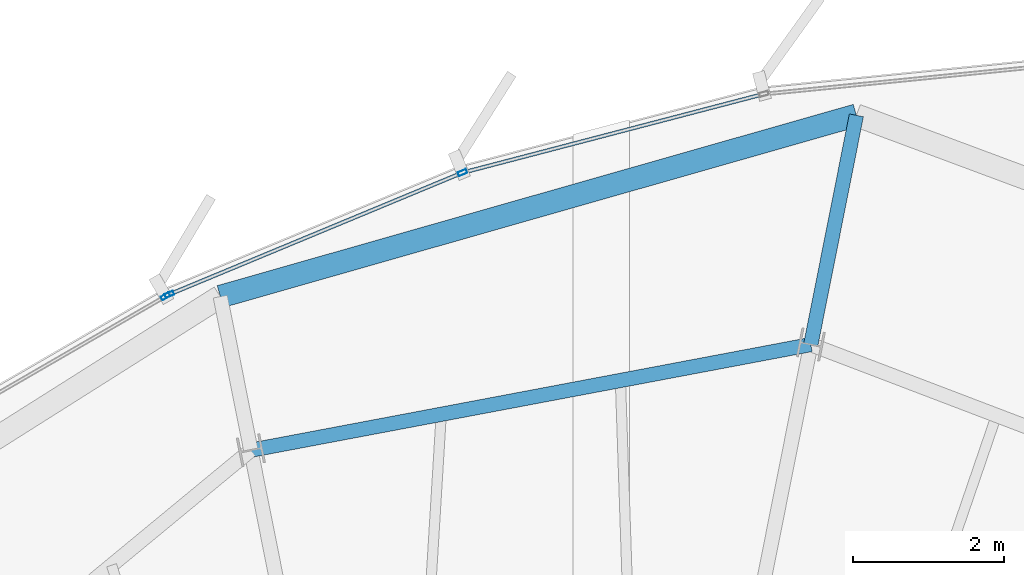
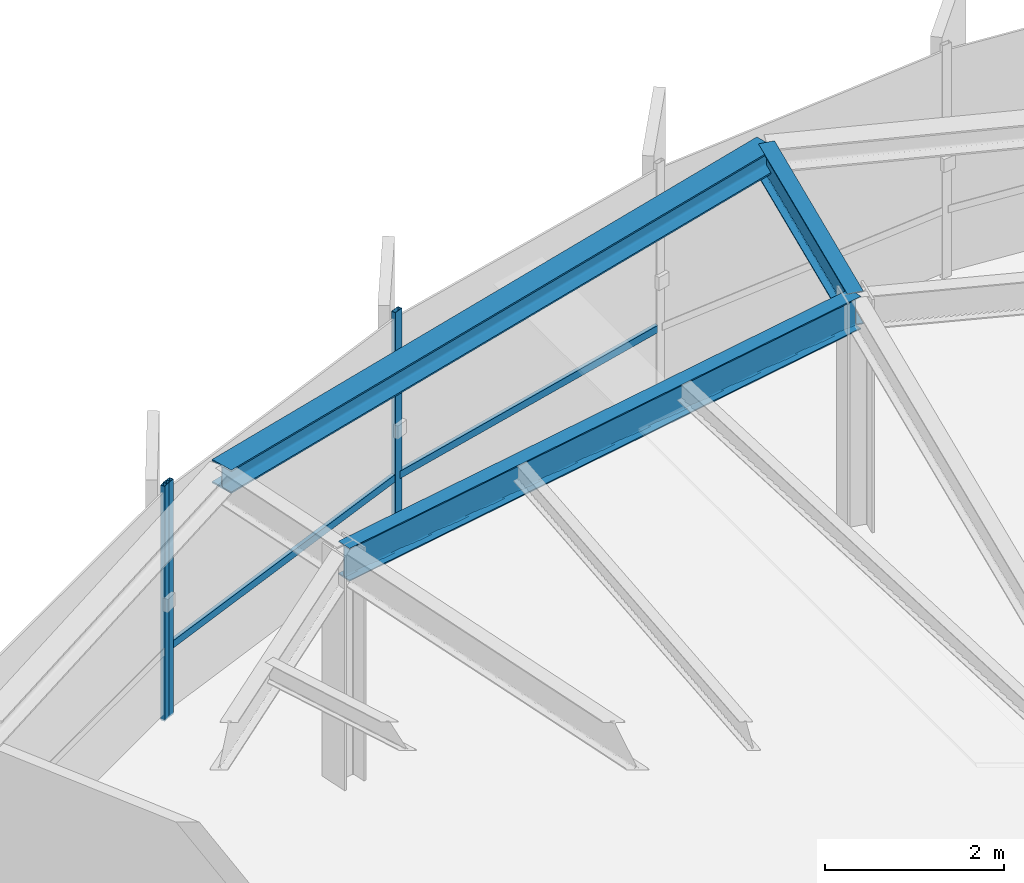
# One storey, part 21 of 33: 5 members, 3 beams, 2 elements without a shape of their own.
"""IFC4 building model written with IfcOpenShell, lengths in metres."""

import ifcopenshell
import ifcopenshell.guid

model = None  # the IFC model being written
_history = None  # IfcOwnerHistory: only IFC2X3 demands one
_inside = {}  # id of a spatial element -> (the spatial element, [elements in it])
_under = {}  # id of a project, library or spatial element -> (it, [spatial elements below it])
_declared = {}  # id of a project -> (the project, [libraries it declares])
_typed = {}  # id of a type object -> (the type object, [elements of that type])
_made_of = {}  # id of a material, layer set ... -> (it, [elements and type objects made of it])


def new_model(schema):
    """Start an empty IFC model of exactly this schema.

    Asked for "IFC4X3", IfcOpenShell would pick the latest addendum, in which some entities
    have other attributes; the version numbers below select the first issue.
    IFC2X3 requires an IfcOwnerHistory on every rooted entity: one is made here for all.
    """
    global model, _history
    if schema == "IFC4X3":
        model = ifcopenshell.file(schema_version=(4, 3, 0, 0))
    else:
        model = ifcopenshell.file(schema=schema)
    _inside.clear()
    _under.clear()
    _declared.clear()
    _typed.clear()
    _made_of.clear()
    _history = None
    if model.schema == "IFC2X3":
        org = make("IfcOrganization", Name="unknown")
        user = make(
            "IfcPersonAndOrganization",
            ThePerson=make("IfcPerson", FamilyName="unknown"),
            TheOrganization=org,
        )
        app = make(
            "IfcApplication",
            ApplicationDeveloper=org,
            Version="unknown",
            ApplicationFullName="unknown",
            ApplicationIdentifier="unknown",
        )
        _history = make(
            "IfcOwnerHistory",
            OwningUser=user,
            OwningApplication=app,
            ChangeAction="ADDED",
            CreationDate=0,
        )
    return model


def make(cls, **values):
    """One entity of the class cls with the attributes given. An attribute that is None is left unset."""
    return model.create_entity(
        cls, **{name: value for name, value in values.items() if value is not None}
    )


def rooted(cls, **values):
    """An entity with a GlobalId (a new one), such as an element, a storey or a relation."""
    return make(cls, GlobalId=ifcopenshell.guid.new(), OwnerHistory=_history, **values)


def si_unit(unit_type, name, prefix=None):
    """IfcSIUnit, for example si_unit("LENGTHUNIT", "METRE", prefix="MILLI")."""
    return make("IfcSIUnit", UnitType=unit_type, Prefix=prefix, Name=name)


def assignment(units):
    """IfcUnitAssignment: the units of a project."""
    return None if units is None else make("IfcUnitAssignment", Units=units)


def point(xyz):
    """IfcCartesianPoint."""
    return None if xyz is None else make("IfcCartesianPoint", Coordinates=xyz)


def direction(xyz):
    """IfcDirection."""
    return None if xyz is None else make("IfcDirection", DirectionRatios=xyz)


def frame(location, z_axis=None, x_axis=None):
    """IfcAxis2Placement3D, a coordinate frame: its origin and axes. An axis left out is left unset."""
    return make(
        "IfcAxis2Placement3D",
        Location=point(location),
        Axis=direction(z_axis),
        RefDirection=direction(x_axis),
    )


def frame_2d(location, x_axis=None):
    """IfcAxis2Placement2D, a coordinate frame in the plane: its origin and x axis."""
    return make(
        "IfcAxis2Placement2D", Location=point(location), RefDirection=direction(x_axis)
    )


def origin():
    """The frame at (0, 0, 0) with its axes left unset."""
    return frame((0.0, 0.0, 0.0))


def origin_2d():
    """The frame at (0, 0) in the plane with its x axis left unset."""
    return frame_2d((0.0, 0.0))


def place(relative_to, where):
    """IfcLocalPlacement: puts the frame where relative to a parent placement (None: the world)."""
    return make(
        "IfcLocalPlacement", PlacementRelTo=relative_to, RelativePlacement=where
    )


def context(
    kind, dimensions, precision=None, world=None, true_north=None, identifier=None
):
    """IfcGeometricRepresentationContext, for example the 3D "Model" context."""
    return make(
        "IfcGeometricRepresentationContext",
        ContextIdentifier=identifier,
        ContextType=kind,
        CoordinateSpaceDimension=dimensions,
        Precision=precision,
        WorldCoordinateSystem=world,
        TrueNorth=true_north,
    )


def subcontext(parent, identifier, kind, view, scale=None):
    """IfcGeometricRepresentationSubContext, for example "Body" below "Model"."""
    return make(
        "IfcGeometricRepresentationSubContext",
        ContextIdentifier=identifier,
        ContextType=kind,
        ParentContext=parent,
        TargetScale=scale,
        TargetView=view,
    )


def project(units=None, contexts=None):
    """IfcProject with its units and contexts."""
    return rooted(
        "IfcProject",
        Name="project",
        RepresentationContexts=contexts,
        UnitsInContext=assignment(units),
    )


def spatial(cls, under=None, at=None, **own):
    """A site, building, storey or space (cls), placed at a placement, below another one or the project."""
    s = rooted(cls, ObjectPlacement=at, **own)
    if under is not None:
        _under.setdefault(under.id(), (under, []))[1].append(s)
    return s


def profile(cls, at=None, kind="AREA", **sizes):
    """A parametric profile (cls). Its sizes go by their IFC names, for example OverallWidth=200.0."""
    return make(cls, ProfileType=kind, Position=at, **sizes)


def hollow_rectangle(**sizes):
    """IfcRectangleHollowProfileDef."""
    return profile("IfcRectangleHollowProfileDef", **sizes)


def i_section(**sizes):
    """IfcIShapeProfileDef."""
    return profile("IfcIShapeProfileDef", **sizes)


def extrude(swept, where, along, depth):
    """IfcExtrudedAreaSolid: the profile swept, set in the frame where, extruded along a direction by depth."""
    return make(
        "IfcExtrudedAreaSolid",
        SweptArea=swept,
        Position=where,
        ExtrudedDirection=direction(along),
        Depth=depth,
    )


def shape(context_of_items, identifier, shape_type, items):
    """IfcShapeRepresentation: the items that make up one representation, for example the "Body"."""
    return make(
        "IfcShapeRepresentation",
        ContextOfItems=context_of_items,
        RepresentationIdentifier=identifier,
        RepresentationType=shape_type,
        Items=items,
    )


def source(mapping_origin, context_of_items, identifier, shape_type, items):
    """IfcRepresentationMap: a shape defined once, which mapped items show again and again."""
    return make(
        "IfcRepresentationMap",
        MappingOrigin=mapping_origin,
        MappedRepresentation=shape(context_of_items, identifier, shape_type, items),
    )


def transform(
    local_origin,
    x_axis=None,
    y_axis=None,
    z_axis=None,
    scale=None,
    scale2=None,
    scale3=None,
    uniform=True,
):
    """IfcCartesianTransformationOperator3D, or its non-uniform kind. x_axis, y_axis, z_axis: its Axis1, 2, 3."""
    if uniform:
        return make(
            "IfcCartesianTransformationOperator3D",
            Axis1=direction(x_axis),
            Axis2=direction(y_axis),
            LocalOrigin=point(local_origin),
            Scale=scale,
            Axis3=direction(z_axis),
        )
    return make(
        "IfcCartesianTransformationOperator3DnonUniform",
        Axis1=direction(x_axis),
        Axis2=direction(y_axis),
        LocalOrigin=point(local_origin),
        Scale=scale,
        Axis3=direction(z_axis),
        Scale2=scale2,
        Scale3=scale3,
    )


def mapped(mapping_source, mapping_target):
    """IfcMappedItem: shows the shape of a source again, moved by a transform."""
    return make(
        "IfcMappedItem", MappingSource=mapping_source, MappingTarget=mapping_target
    )


def material(Name=None, Category=None):
    """IfcMaterial."""
    return make("IfcMaterial", Name=Name, Category=Category)


def layer(
    of_material, thickness, ventilated=None, Name=None, Category=None, Priority=None
):
    """IfcMaterialLayer: one layer of a wall or slab, of a material (None: an air gap)."""
    return make(
        "IfcMaterialLayer",
        Material=of_material,
        LayerThickness=thickness,
        IsVentilated=ventilated,
        Name=Name,
        Category=Category,
        Priority=Priority,
    )


def layer_set(layers, Name=None):
    """IfcMaterialLayerSet."""
    return make("IfcMaterialLayerSet", MaterialLayers=layers, LayerSetName=Name)


def material_profile(
    of_material, cross_section, Name=None, Category=None, Priority=None
):
    """IfcMaterialProfile: a cross section and its material."""
    return make(
        "IfcMaterialProfile",
        Name=Name,
        Material=of_material,
        Profile=cross_section,
        Priority=Priority,
        Category=Category,
    )


def profile_set(profiles, Name=None, composite=None):
    """IfcMaterialProfileSet."""
    return make(
        "IfcMaterialProfileSet",
        Name=Name,
        MaterialProfiles=profiles,
        CompositeProfile=composite,
    )


def made_of(thing, what):
    """Note that an element or type object is made of a material, layer set ...; save() writes the relation."""
    if what is not None:
        _made_of.setdefault(what.id(), (what, []))[1].append(thing)
    return thing


def type_object(cls, material=None, **own):
    """A type object (cls), such as IfcWallType, which elements share."""
    return made_of(rooted(cls, **own), material)


def element(
    cls,
    number,
    at=None,
    inside=None,
    cuts=None,
    type_object=None,
    material=None,
    context=None,
    identifier="Body",
    shape_type=None,
    held_by="IfcProductDefinitionShape",
    body=None,
    shapes=None,
    **own,
):
    """One element of the class cls, such as IfcWall. Its Tag is "e" and its number.

    at: its placement. inside: the storey or other place that contains it. cuts: it is an
    opening in that element (IfcRelVoidsElement). A single representation is given by context,
    identifier, shape_type and body (its items); several are given by shapes. held_by: the class
    of the entity that holds the representations. save() writes the other relations.
    """
    e = rooted(cls, Tag="e%d" % number, ObjectPlacement=at, **own)
    if body is not None:
        shapes = [shape(context, identifier, shape_type, body)]
    if shapes is not None:
        e.Representation = make(held_by, Representations=shapes)
    if inside is not None:
        _inside.setdefault(inside.id(), (inside, []))[1].append(e)
    if cuts is not None:
        rooted(
            "IfcRelVoidsElement", RelatingBuildingElement=cuts, RelatedOpeningElement=e
        )
    if type_object is not None:
        _typed.setdefault(type_object.id(), (type_object, []))[1].append(e)
    return made_of(e, material)


def aggregate(whole, parts):
    """IfcRelAggregates: a whole, such as a stair, and the parts it consists of."""
    return rooted("IfcRelAggregates", RelatingObject=whole, RelatedObjects=parts)


def save(model, path):
    """Write the relations noted so far, then the file.

    IfcRelAggregates (storeys below a building ...), IfcRelContainedInSpatialStructure (elements
    in a storey), IfcRelDefinesByType, IfcRelAssociatesMaterial and IfcRelDeclares: one each for
    every whole, place, type object, material and project.
    """
    for whole, parts in _under.values():
        aggregate(whole, parts)
    for where, things in _inside.values():
        rooted(
            "IfcRelContainedInSpatialStructure",
            RelatedElements=things,
            RelatingStructure=where,
        )
    for kind, things in _typed.values():
        rooted("IfcRelDefinesByType", RelatedObjects=things, RelatingType=kind)
    for what, things in _made_of.values():
        rooted("IfcRelAssociatesMaterial", RelatedObjects=things, RelatingMaterial=what)
    for by, libraries in _declared.values():
        rooted("IfcRelDeclares", RelatingContext=by, RelatedDefinitions=libraries)
    model.write(path)


model = new_model("IFC4")

# Units and contexts
model_context = context("Model", 3, precision=1e-05, world=origin(), true_north=direction((0.0, 1.0)))
body_context = subcontext(model_context, "Body", "Model", "MODEL_VIEW")
ifc_project = project(units=[si_unit("LENGTHUNIT", "METRE"), si_unit("AREAUNIT", "SQUARE_METRE"), si_unit("VOLUMEUNIT", "CUBIC_METRE"), si_unit("PLANEANGLEUNIT", "RADIAN"), si_unit("MASSUNIT", "GRAM", prefix="KILO"), si_unit("THERMODYNAMICTEMPERATUREUNIT", "KELVIN")], contexts=[model_context])

# Site, building, storey
site_placement = place(None, origin())
site = spatial("IfcSite", under=ifc_project, at=site_placement, CompositionType="ELEMENT")
building_placement = place(site_placement, origin())
building = spatial("IfcBuilding", under=site, at=building_placement, Name="Kethvar Cultural Tower", CompositionType="ELEMENT")
storey_placement = place(building_placement, frame((0.0, 0.0, 235.300048828125)))
storey = spatial("IfcBuildingStorey", under=building, at=storey_placement, Name="L61", CompositionType="ELEMENT", Elevation=235.300048828125)

# Beams
ifc_material_1 = material(Name="Steel S355J2", Category="steel")
ifc_material_profile_1 = material_profile(ifc_material_1, i_section(OverallWidth=0.18994140625, OverallDepth=0.449951171875, WebThickness=0.009521484375, FlangeThickness=0.0146484375, FilletRadius=0.02099609375, at=origin_2d()), Name="Steel S355J2 — IPE450")
ifc_profile_set_1 = profile_set([ifc_material_profile_1], Name="Steel S355J2 — IPE450")
beam_type_1 = type_object("IfcBeamType", Name="BM-IPE450", PredefinedType="BEAM", material=ifc_profile_set_1)
shared_shape_1 = source(origin(), body_context, "Body", "SweptSolid", [
    extrude(i_section(OverallWidth=0.18994140625, OverallDepth=0.449951171875, WebThickness=0.009521484375, FlangeThickness=0.0146484375, FilletRadius=0.02099609375, at=origin_2d()), origin(), (0.0, 0.0, 1.0), 7.543212890625),
])
beam_1_placement = place(storey_placement, frame((50.645263671875, 47.131591796875, 2.98291015625), z_axis=(-0.982646853086, -0.185486285532, 0.0), x_axis=(0.185486285532, -0.982646853086, 0.0)))
element("IfcBeam", 1, at=beam_1_placement, inside=storey, type_object=beam_type_1, Name="L61 Column Ring Tie Beam CR-04", PredefinedType="BEAM", context=body_context, shape_type="MappedRepresentation", body=[
    mapped(shared_shape_1, transform((0.0, 0.0, 0.0), scale=1.0)),
])
shared_shape_2 = source(origin(), body_context, "Body", "SweptSolid", [
    extrude(i_section(OverallWidth=0.18994140625, OverallDepth=0.449951171875, WebThickness=0.009521484375, FlangeThickness=0.0146484375, FilletRadius=0.02099609375, at=origin_2d()), origin(), (0.0, 0.0, 1.0), 3.093994140625),
])
beam_2_placement = place(storey_placement, frame((50.645263671875, 47.131591796875, 2.98291015625), z_axis=(0.195053833719, 0.980792537671, 0.0), x_axis=(-0.980792537671, 0.195053833719, 0.0)))
element("IfcBeam", 2, at=beam_2_placement, inside=storey, type_object=beam_type_1, Name="L61 Perimeter Cantilever Beam RC-04", PredefinedType="BEAM", context=body_context, shape_type="MappedRepresentation", body=[
    mapped(shared_shape_2, transform((0.0, 0.0, 0.0), scale=1.0)),
])
ifc_material_profile_2 = material_profile(ifc_material_1, i_section(OverallWidth=0.300048828125, OverallDepth=0.320068359375, WebThickness=0.011474609375, FlangeThickness=0.0205078125, FilletRadius=0.027099609375, at=origin_2d()), Name="Steel S355J2 — HEB320")
ifc_profile_set_2 = profile_set([ifc_material_profile_2], Name="Steel S355J2 — HEB320")
beam_type_2 = type_object("IfcBeamType", Name="BM-SP320", PredefinedType="SPANDREL", material=ifc_profile_set_2)
shared_shape_3 = source(origin(), body_context, "Body", "SweptSolid", [
    extrude(i_section(OverallWidth=0.300048828125, OverallDepth=0.320068359375, WebThickness=0.011474609375, FlangeThickness=0.0205078125, FilletRadius=0.027099609375, at=origin_2d()), origin(), (0.0, 0.0, 1.0), 8.755615234375),
])
beam_3_placement = place(storey_placement, frame((51.248779296875, 50.166259765625, 3.0478515625), z_axis=(-0.961702619235, -0.274095005714, 0.0), x_axis=(0.274095005714, -0.961702619235, 0.0)))
element("IfcBeam", 3, at=beam_3_placement, inside=storey, type_object=beam_type_2, Name="L61 Perimeter Spandrel Beam SP-04", PredefinedType="SPANDREL", context=body_context, shape_type="MappedRepresentation", body=[
    mapped(shared_shape_3, transform((0.0, 0.0, 0.0), scale=1.0)),
])

# Curtain wall, members
ifc_material_2 = material(Name="Aluminium 6063-T6", Category="aluminium")
ifc_layer = layer(ifc_material_2, 0.179931640625, Name="Aluminium 6063-T6", Category="aluminium")
ifc_layer_set = layer_set([ifc_layer], Name="Aluminium 6063-T6 (180 mm)")
curtain_wall_type = type_object("IfcCurtainWallType", Name="CW-SYS-05-Z56", PredefinedType="NOTDEFINED", material=ifc_layer_set)
curtain_wall_1_placement = place(storey_placement, origin())
curtain_wall_1 = element("IfcCurtainWall", 4, at=curtain_wall_1_placement, inside=storey, type_object=curtain_wall_type, Name="L61 Curtain Wall Run 01", PredefinedType="NOTDEFINED")
ifc_material_profile_3 = material_profile(ifc_material_2, hollow_rectangle(XDim=0.054931640625, YDim=0.1201171875, WallThickness=0.00390625, at=origin_2d()), Name="Aluminium 6063-T6 — RHS120x55x4")
ifc_profile_set_3 = profile_set([ifc_material_profile_3], Name="Aluminium 6063-T6 — RHS120x55x4")
member_type_1 = type_object("IfcMemberType", Name="CW-SYS-05-Z56-MUL", PredefinedType="MULLION", material=ifc_profile_set_3)
shared_shape_4 = source(origin(), body_context, "Body", "SweptSolid", [
    extrude(hollow_rectangle(XDim=0.054931640625, YDim=0.1201171875, WallThickness=0.00390625, at=origin_2d()), origin(), (0.0, 0.0, 1.0), 3.2099609375),
])
member_1_placement = place(storey_placement, frame((46.034423828125, 49.406982421875, 0.0), z_axis=(0.0, 0.0, 1.0), x_axis=(0.383618471036, -0.923491672231, 0.0)))
member_1 = element("IfcMember", 5, at=member_1_placement, type_object=member_type_1, Name="CW-L61-R01 Mullion 6", PredefinedType="MULLION", context=body_context, shape_type="MappedRepresentation", body=[
    mapped(shared_shape_4, transform((0.0, 0.0, 0.0), scale=1.0)),
])
member_2_placement = place(storey_placement, frame((42.15576171875, 47.7958984375, 0.0), z_axis=(0.0, 0.0, 1.0), x_axis=(0.383618471036, -0.923491672231, 0.0)))
member_2 = element("IfcMember", 6, at=member_2_placement, type_object=member_type_1, Name="CW-L61-R01 Mullion 7", PredefinedType="MULLION", context=body_context, shape_type="MappedRepresentation", body=[
    mapped(shared_shape_4, transform((0.0, 0.0, 0.0), scale=1.0)),
])

# Curtain wall, member
curtain_wall_2_placement = place(storey_placement, origin())
curtain_wall_2 = element("IfcCurtainWall", 7, at=curtain_wall_2_placement, inside=storey, type_object=curtain_wall_type, Name="L61 Curtain Wall Run 02", PredefinedType="NOTDEFINED")
member_3_placement = place(storey_placement, frame((42.103515625, 47.77001953125, 0.0), z_axis=(0.0, 0.0, 1.0), x_axis=(0.500634695384, -0.865658651997, 0.0)))
member_3 = element("IfcMember", 8, at=member_3_placement, type_object=member_type_1, Name="CW-L61-R02 Mullion 1", PredefinedType="MULLION", context=body_context, shape_type="MappedRepresentation", body=[
    mapped(shared_shape_4, transform((0.0, 0.0, 0.0), scale=1.0)),
])
aggregate(curtain_wall_2, [member_3])

# Member
ifc_material_profile_4 = material_profile(ifc_material_2, hollow_rectangle(XDim=0.050048828125, YDim=0.10009765625, WallThickness=0.00390625, at=origin_2d()), Name="Aluminium 6063-T6 — RHS100x50x4")
ifc_profile_set_4 = profile_set([ifc_material_profile_4], Name="Aluminium 6063-T6 — RHS100x50x4")
member_type_2 = type_object("IfcMemberType", Name="CW-SYS-05-Z56-TRN", PredefinedType="USERDEFINED", material=ifc_profile_set_4)
shared_shape_5 = source(origin(), body_context, "Body", "SweptSolid", [
    extrude(hollow_rectangle(XDim=0.050048828125, YDim=0.10009765625, WallThickness=0.00390625, at=origin_2d()), origin(), (0.0, 0.0, 1.0), 4.06005859375),
])
member_4_placement = place(storey_placement, frame((49.98779296875, 50.438720703125, 0.949951171875), z_axis=(-0.967534844419, -0.252737660105, 0.0), x_axis=(0.252737660105, -0.967534844419, 0.0)))
member_4 = element("IfcMember", 9, at=member_4_placement, type_object=member_type_2, Name="CW-L61-R01 Transom 5", ObjectType="TRANSOM", PredefinedType="USERDEFINED", context=body_context, shape_type="MappedRepresentation", body=[
    mapped(shared_shape_5, transform((0.0, 0.0, 0.0), scale=1.0)),
])

shared_shape_6 = source(origin(), body_context, "Body", "SweptSolid", [
    extrude(hollow_rectangle(XDim=0.050048828125, YDim=0.10009765625, WallThickness=0.00390625, at=origin_2d()), origin(), (0.0, 0.0, 1.0), 4.156494140625),
])
member_5_placement = place(storey_placement, frame((45.997802734375, 49.391845703125, 0.949951171875), z_axis=(-0.923498636927, -0.383601704368, 0.0), x_axis=(0.383601704368, -0.923498636927, 0.0)))
member_5 = element("IfcMember", 10, at=member_5_placement, type_object=member_type_2, Name="CW-L61-R01 Transom 6", ObjectType="TRANSOM", PredefinedType="USERDEFINED", context=body_context, shape_type="MappedRepresentation", body=[
    mapped(shared_shape_6, transform((0.0, 0.0, 0.0), scale=1.0)),
])

aggregate(curtain_wall_1, [member_1, member_2, member_4, member_5])

save(model, "model.ifc")
